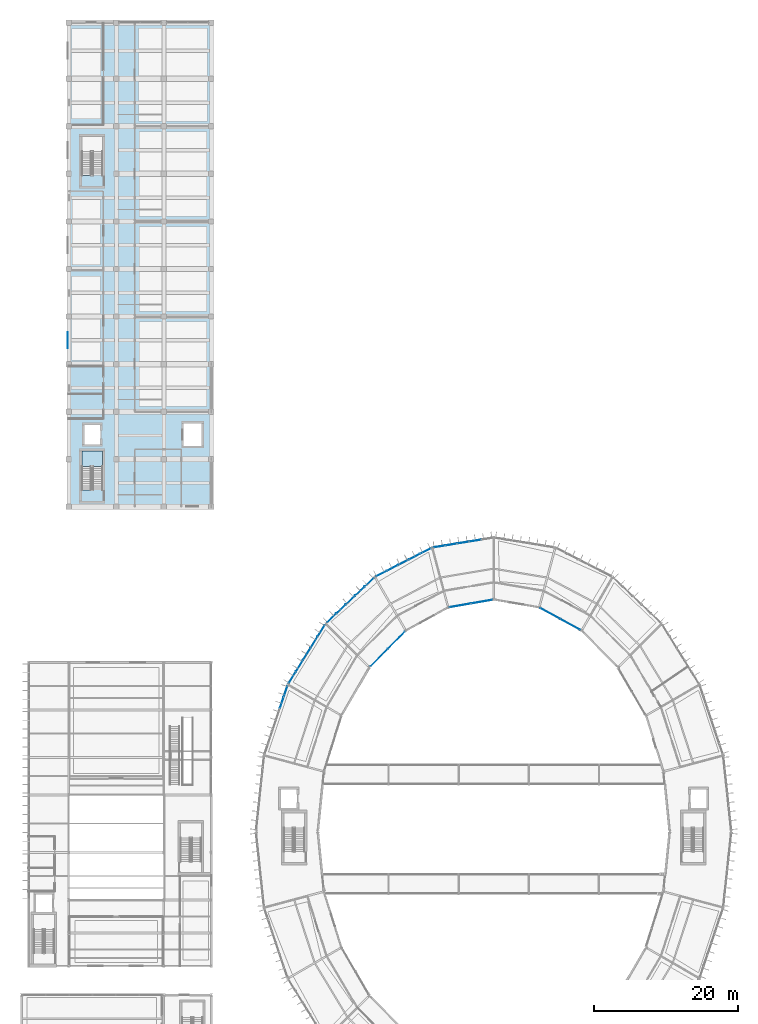
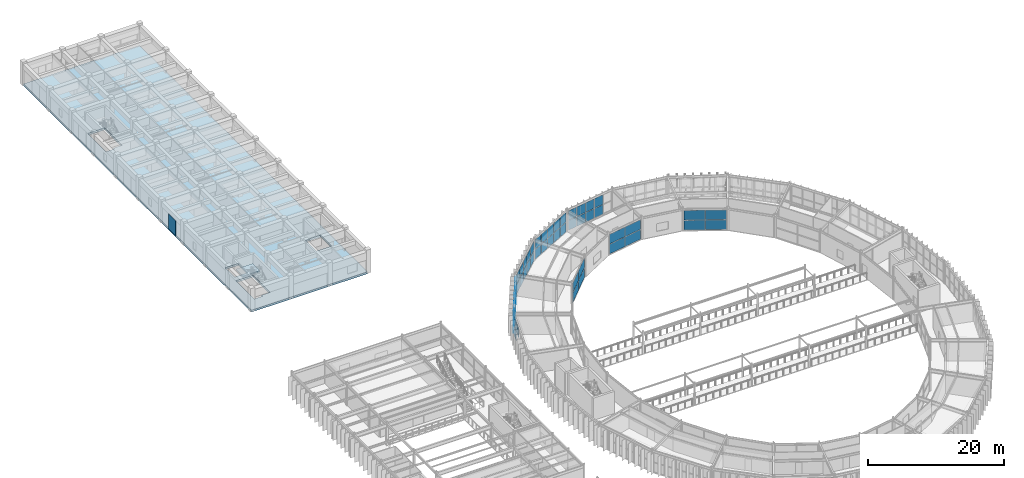
# One storey, part 104 of 148: 54 plates, 2 slabs, 9 elements without a shape of their own.
"""IFC4 building model written with IfcOpenShell, lengths in metres."""

from ifc_helpers import new_model, si_unit, direction, frame, origin, origin_2d, place, context, subcontext, project, spatial, polyline, rectangle, outline, extrude, material, layer, layer_set, type_object, element, aggregate, save


model = new_model("IFC4")

# Units and contexts
model_context = context("Model", 3, precision=1e-05, world=origin(), true_north=direction((0.0, 1.0)))
body_context = subcontext(model_context, "Body", "Model", "MODEL_VIEW")
ifc_project = project(units=[si_unit("LENGTHUNIT", "METRE"), si_unit("AREAUNIT", "SQUARE_METRE"), si_unit("VOLUMEUNIT", "CUBIC_METRE"), si_unit("PLANEANGLEUNIT", "RADIAN"), si_unit("MASSUNIT", "GRAM", prefix="KILO")], contexts=[model_context])

# Site, building, storey
site_placement = place(None, origin())
site = spatial("IfcSite", under=ifc_project, at=site_placement, CompositionType="ELEMENT")
building_placement = place(site_placement, origin())
building = spatial("IfcBuilding", under=site, at=building_placement, Name="Karori Crest Natural Sciences Institute", CompositionType="ELEMENT")
storey_placement = place(building_placement, frame((0.0, 0.0, 4.89990234375)))
storey = spatial("IfcBuildingStorey", under=building, at=storey_placement, Name="L01", CompositionType="ELEMENT", Elevation=4.89990234375)

# Curtain wall, plates
ifc_material_1 = material(Name="Anodised architectural aluminium 6063-T6", Category="aluminium")
curtain_wall_type_1 = type_object("IfcCurtainWallType", Name="CWT-15", PredefinedType="NOTDEFINED", material=ifc_material_1)
curtain_wall_1_placement = place(storey_placement, origin())
curtain_wall_1 = element("IfcCurtainWall", 1, at=curtain_wall_1_placement, inside=storey, type_object=curtain_wall_type_1, Name="Curtain wall CW-0037", PredefinedType="NOTDEFINED")
ifc_material_2 = material(Name="Double low-E laminated glass", Category="glass")
ifc_layer_1 = layer(ifc_material_2, 0.02392578125, Name="Double low-E laminated glass")
ifc_layer_set_1 = layer_set([ifc_layer_1], Name="Double low-E laminated glass")
plate_type_1 = type_object("IfcPlateType", Name="CWP-01", PredefinedType="CURTAIN_PANEL", material=ifc_layer_set_1)
plate_1_placement = place(storey_placement, frame((77.031005859375, 78.6435546875, 0.06005859375), z_axis=(0.0, 0.0, 1.0), x_axis=(-0.877463514084, 0.479643389875, 0.0)))
plate_1 = element("IfcPlate", 2, at=plate_1_placement, type_object=plate_type_1, Name="CW-0037 panel 1.1", PredefinedType="CURTAIN_PANEL", context=body_context, shape_type="SweptSolid", body=[
    extrude(rectangle(XDim=3.102783203125, YDim=0.02392578125, at=origin_2d()), origin(), (0.0, 0.0, 1.0), 1.735107421875),
])
plate_2_placement = place(storey_placement, frame((77.031005859375, 78.6435546875, 1.85498046875), z_axis=(0.0, 0.0, 1.0), x_axis=(-0.877463514084, 0.479643389875, 0.0)))
plate_2 = element("IfcPlate", 3, at=plate_2_placement, type_object=plate_type_1, Name="CW-0037 panel 1.2", PredefinedType="CURTAIN_PANEL", context=body_context, shape_type="SweptSolid", body=[
    extrude(rectangle(XDim=3.102783203125, YDim=0.02392578125, at=origin_2d()), origin(), (0.0, 0.0, 1.0), 1.735107421875),
])
plate_3_placement = place(storey_placement, frame((74.25146484375, 80.1630859375, 0.06005859375), z_axis=(0.0, 0.0, 1.0), x_axis=(-0.877463514084, 0.479643389875, 0.0)))
plate_3 = element("IfcPlate", 4, at=plate_3_placement, type_object=plate_type_1, Name="CW-0037 panel 2.1", PredefinedType="CURTAIN_PANEL", context=body_context, shape_type="SweptSolid", body=[
    extrude(rectangle(XDim=3.102783203125, YDim=0.02392578125, at=origin_2d()), origin(), (0.0, 0.0, 1.0), 1.735107421875),
])
plate_4_placement = place(storey_placement, frame((74.25146484375, 80.1630859375, 1.85498046875), z_axis=(0.0, 0.0, 1.0), x_axis=(-0.877463514084, 0.479643389875, 0.0)))
plate_4 = element("IfcPlate", 5, at=plate_4_placement, type_object=plate_type_1, Name="CW-0037 panel 2.2", PredefinedType="CURTAIN_PANEL", context=body_context, shape_type="SweptSolid", body=[
    extrude(rectangle(XDim=3.102783203125, YDim=0.02392578125, at=origin_2d()), origin(), (0.0, 0.0, 1.0), 1.735107421875),
])
aggregate(curtain_wall_1, [plate_1, plate_2, plate_3, plate_4])

curtain_wall_type_2 = type_object("IfcCurtainWallType", Name="CWT-07", PredefinedType="NOTDEFINED", material=ifc_material_1)
curtain_wall_2_placement = place(storey_placement, origin())
curtain_wall_2 = element("IfcCurtainWall", 6, at=curtain_wall_2_placement, inside=storey, type_object=curtain_wall_type_2, Name="Curtain wall CW-0039", PredefinedType="NOTDEFINED")
plate_5_placement = place(storey_placement, frame((58.872314453125, 89.474609375, 0.06494140625), z_axis=(0.0, 0.0, 1.0), x_axis=(0.987010371927, 0.1606565458, 0.0)))
plate_5 = element("IfcPlate", 7, at=plate_5_placement, type_object=plate_type_1, Name="CW-0039 panel 1.1", PredefinedType="CURTAIN_PANEL", context=body_context, shape_type="SweptSolid", body=[
    extrude(rectangle(XDim=1.552001953125, YDim=0.02392578125, at=origin_2d()), origin(), (0.0, 0.0, 1.0), 1.715087890625),
])
plate_6_placement = place(storey_placement, frame((58.872314453125, 89.474609375, 1.84521484375), z_axis=(0.0, 0.0, 1.0), x_axis=(0.987010371927, 0.1606565458, 0.0)))
plate_6 = element("IfcPlate", 8, at=plate_6_placement, type_object=plate_type_1, Name="CW-0039 panel 1.2", PredefinedType="CURTAIN_PANEL", context=body_context, shape_type="SweptSolid", body=[
    extrude(rectangle(XDim=1.552001953125, YDim=0.02392578125, at=origin_2d()), origin(), (0.0, 0.0, 1.0), 1.715087890625),
])
plate_7_placement = place(storey_placement, frame((60.49658203125, 89.739013671875, 0.06494140625), z_axis=(0.0, 0.0, 1.0), x_axis=(0.987010371927, 0.1606565458, 0.0)))
plate_7 = element("IfcPlate", 9, at=plate_7_placement, type_object=plate_type_1, Name="CW-0039 panel 2.1", PredefinedType="CURTAIN_PANEL", context=body_context, shape_type="SweptSolid", body=[
    extrude(rectangle(XDim=1.58935546875, YDim=0.02392578125, at=origin_2d()), origin(), (0.0, 0.0, 1.0), 1.715087890625),
])
plate_8_placement = place(storey_placement, frame((60.49658203125, 89.739013671875, 1.84521484375), z_axis=(0.0, 0.0, 1.0), x_axis=(0.987010371927, 0.1606565458, 0.0)))
plate_8 = element("IfcPlate", 10, at=plate_8_placement, type_object=plate_type_1, Name="CW-0039 panel 2.2", PredefinedType="CURTAIN_PANEL", context=body_context, shape_type="SweptSolid", body=[
    extrude(rectangle(XDim=1.58935546875, YDim=0.02392578125, at=origin_2d()), origin(), (0.0, 0.0, 1.0), 1.715087890625),
])
plate_9_placement = place(storey_placement, frame((62.139404296875, 90.006591796875, 0.06494140625), z_axis=(0.0, 0.0, 1.0), x_axis=(0.987010371927, 0.1606565458, 0.0)))
plate_9 = element("IfcPlate", 11, at=plate_9_placement, type_object=plate_type_1, Name="CW-0039 panel 3.1", PredefinedType="CURTAIN_PANEL", context=body_context, shape_type="SweptSolid", body=[
    extrude(rectangle(XDim=1.58935546875, YDim=0.02392578125, at=origin_2d()), origin(), (0.0, 0.0, 1.0), 1.715087890625),
])
plate_10_placement = place(storey_placement, frame((62.139404296875, 90.006591796875, 1.84521484375), z_axis=(0.0, 0.0, 1.0), x_axis=(0.987010371927, 0.1606565458, 0.0)))
plate_10 = element("IfcPlate", 12, at=plate_10_placement, type_object=plate_type_1, Name="CW-0039 panel 3.2", PredefinedType="CURTAIN_PANEL", context=body_context, shape_type="SweptSolid", body=[
    extrude(rectangle(XDim=1.58935546875, YDim=0.02392578125, at=origin_2d()), origin(), (0.0, 0.0, 1.0), 1.715087890625),
])
plate_11_placement = place(storey_placement, frame((63.7822265625, 90.27392578125, 0.06494140625), z_axis=(0.0, 0.0, 1.0), x_axis=(0.987010371927, 0.1606565458, 0.0)))
plate_11 = element("IfcPlate", 13, at=plate_11_placement, type_object=plate_type_1, Name="CW-0039 panel 4.1", PredefinedType="CURTAIN_PANEL", context=body_context, shape_type="SweptSolid", body=[
    extrude(rectangle(XDim=1.58935546875, YDim=0.02392578125, at=origin_2d()), origin(), (0.0, 0.0, 1.0), 1.715087890625),
])
plate_12_placement = place(storey_placement, frame((63.7822265625, 90.27392578125, 1.84521484375), z_axis=(0.0, 0.0, 1.0), x_axis=(0.987010371927, 0.1606565458, 0.0)))
plate_12 = element("IfcPlate", 14, at=plate_12_placement, type_object=plate_type_1, Name="CW-0039 panel 4.2", PredefinedType="CURTAIN_PANEL", context=body_context, shape_type="SweptSolid", body=[
    extrude(rectangle(XDim=1.58935546875, YDim=0.02392578125, at=origin_2d()), origin(), (0.0, 0.0, 1.0), 1.715087890625),
])
aggregate(curtain_wall_2, [plate_5, plate_6, plate_7, plate_8, plate_9, plate_10, plate_11, plate_12])

curtain_wall_type_3 = type_object("IfcCurtainWallType", Name="CWT-12", PredefinedType="NOTDEFINED", material=ifc_material_1)
curtain_wall_3_placement = place(storey_placement, origin())
curtain_wall_3 = element("IfcCurtainWall", 15, at=curtain_wall_3_placement, inside=storey, type_object=curtain_wall_type_3, Name="Curtain wall CW-0040", PredefinedType="NOTDEFINED")
plate_13_placement = place(storey_placement, frame((64.729248046875, 81.809814453125, 0.06005859375), z_axis=(0.0, 0.0, 1.0), x_axis=(-0.985241442821, -0.171170381048, 0.0)))
plate_13 = element("IfcPlate", 16, at=plate_13_placement, type_object=plate_type_1, Name="CW-0040 panel 1.1", PredefinedType="CURTAIN_PANEL", context=body_context, shape_type="SweptSolid", body=[
    extrude(rectangle(XDim=2.9541015625, YDim=0.02392578125, at=origin_2d()), origin(), (0.0, 0.0, 1.0), 1.735107421875),
])
plate_14_placement = place(storey_placement, frame((64.729248046875, 81.809814453125, 1.85498046875), z_axis=(0.0, 0.0, 1.0), x_axis=(-0.985241442821, -0.171170381048, 0.0)))
plate_14 = element("IfcPlate", 17, at=plate_14_placement, type_object=plate_type_1, Name="CW-0040 panel 1.2", PredefinedType="CURTAIN_PANEL", context=body_context, shape_type="SweptSolid", body=[
    extrude(rectangle(XDim=2.9541015625, YDim=0.02392578125, at=origin_2d()), origin(), (0.0, 0.0, 1.0), 1.735107421875),
])
plate_15_placement = place(storey_placement, frame((61.754638671875, 81.29296875, 0.06005859375), z_axis=(0.0, 0.0, 1.0), x_axis=(-0.985241442821, -0.171170381048, 0.0)))
plate_15 = element("IfcPlate", 18, at=plate_15_placement, type_object=plate_type_1, Name="CW-0040 panel 2.1", PredefinedType="CURTAIN_PANEL", context=body_context, shape_type="SweptSolid", body=[
    extrude(rectangle(XDim=2.9541015625, YDim=0.02392578125, at=origin_2d()), origin(), (0.0, 0.0, 1.0), 1.735107421875),
])
plate_16_placement = place(storey_placement, frame((61.754638671875, 81.29296875, 1.85498046875), z_axis=(0.0, 0.0, 1.0), x_axis=(-0.985241442821, -0.171170381048, 0.0)))
plate_16 = element("IfcPlate", 19, at=plate_16_placement, type_object=plate_type_1, Name="CW-0040 panel 2.2", PredefinedType="CURTAIN_PANEL", context=body_context, shape_type="SweptSolid", body=[
    extrude(rectangle(XDim=2.9541015625, YDim=0.02392578125, at=origin_2d()), origin(), (0.0, 0.0, 1.0), 1.735107421875),
])
aggregate(curtain_wall_3, [plate_13, plate_14, plate_15, plate_16])

curtain_wall_type_4 = type_object("IfcCurtainWallType", Name="CWT-14", PredefinedType="NOTDEFINED", material=ifc_material_1)
curtain_wall_4_placement = place(storey_placement, origin())
curtain_wall_4 = element("IfcCurtainWall", 20, at=curtain_wall_4_placement, inside=storey, type_object=curtain_wall_type_4, Name="Curtain wall CW-0043", PredefinedType="NOTDEFINED")
plate_17_placement = place(storey_placement, frame((52.892333984375, 76.4619140625, 0.06005859375), z_axis=(0.0, 0.0, 1.0), x_axis=(-0.70265631089, -0.71152941525, 0.0)))
plate_17 = element("IfcPlate", 21, at=plate_17_placement, type_object=plate_type_1, Name="CW-0043 panel 1.1", PredefinedType="CURTAIN_PANEL", context=body_context, shape_type="SweptSolid", body=[
    extrude(rectangle(XDim=3.322998046875, YDim=0.02392578125, at=origin_2d()), origin(), (0.0, 0.0, 1.0), 1.735107421875),
])
plate_18_placement = place(storey_placement, frame((52.892333984375, 76.4619140625, 1.85498046875), z_axis=(0.0, 0.0, 1.0), x_axis=(-0.70265631089, -0.71152941525, 0.0)))
plate_18 = element("IfcPlate", 22, at=plate_18_placement, type_object=plate_type_1, Name="CW-0043 panel 1.2", PredefinedType="CURTAIN_PANEL", context=body_context, shape_type="SweptSolid", body=[
    extrude(rectangle(XDim=3.322998046875, YDim=0.02392578125, at=origin_2d()), origin(), (0.0, 0.0, 1.0), 1.735107421875),
])
plate_19_placement = place(storey_placement, frame((50.51171875, 74.05126953125, 0.06005859375), z_axis=(0.0, 0.0, 1.0), x_axis=(-0.70265631089, -0.71152941525, 0.0)))
plate_19 = element("IfcPlate", 23, at=plate_19_placement, type_object=plate_type_1, Name="CW-0043 panel 2.1", PredefinedType="CURTAIN_PANEL", context=body_context, shape_type="SweptSolid", body=[
    extrude(rectangle(XDim=3.322998046875, YDim=0.02392578125, at=origin_2d()), origin(), (0.0, 0.0, 1.0), 1.735107421875),
])
plate_20_placement = place(storey_placement, frame((50.51171875, 74.05126953125, 1.85498046875), z_axis=(0.0, 0.0, 1.0), x_axis=(-0.70265631089, -0.71152941525, 0.0)))
plate_20 = element("IfcPlate", 24, at=plate_20_placement, type_object=plate_type_1, Name="CW-0043 panel 2.2", PredefinedType="CURTAIN_PANEL", context=body_context, shape_type="SweptSolid", body=[
    extrude(rectangle(XDim=3.322998046875, YDim=0.02392578125, at=origin_2d()), origin(), (0.0, 0.0, 1.0), 1.735107421875),
])
aggregate(curtain_wall_4, [plate_17, plate_18, plate_19, plate_20])

curtain_wall_type_5 = type_object("IfcCurtainWallType", Name="CWT-10", PredefinedType="NOTDEFINED", material=ifc_material_1)
curtain_wall_5_placement = place(storey_placement, origin())
curtain_wall_5 = element("IfcCurtainWall", 25, at=curtain_wall_5_placement, inside=storey, type_object=curtain_wall_type_5, Name="Curtain wall CW-0044", PredefinedType="NOTDEFINED")
plate_21_placement = place(storey_placement, frame((38.428955078125, 71.279296875, 0.06005859375), z_axis=(0.0, 0.0, 1.0), x_axis=(0.527327518853, 0.849662102168, 0.0)))
plate_21 = element("IfcPlate", 26, at=plate_21_placement, type_object=plate_type_1, Name="CW-0044 panel 1.1", PredefinedType="CURTAIN_PANEL", context=body_context, shape_type="SweptSolid", body=[
    extrude(rectangle(XDim=1.80322265625, YDim=0.02392578125, at=origin_2d()), origin(), (0.0, 0.0, 1.0), 1.722412109375),
])
plate_22_placement = place(storey_placement, frame((38.428955078125, 71.279296875, 1.8427734375), z_axis=(0.0, 0.0, 1.0), x_axis=(0.527327518853, 0.849662102168, 0.0)))
plate_22 = element("IfcPlate", 27, at=plate_22_placement, type_object=plate_type_1, Name="CW-0044 panel 1.2", PredefinedType="CURTAIN_PANEL", context=body_context, shape_type="SweptSolid", body=[
    extrude(rectangle(XDim=1.80322265625, YDim=0.02392578125, at=origin_2d()), origin(), (0.0, 0.0, 1.0), 1.722412109375),
])
plate_23_placement = place(storey_placement, frame((39.42919921875, 72.89111328125, 0.06005859375), z_axis=(0.0, 0.0, 1.0), x_axis=(0.527327518853, 0.849662102168, 0.0)))
plate_23 = element("IfcPlate", 28, at=plate_23_placement, type_object=plate_type_1, Name="CW-0044 panel 2.1", PredefinedType="CURTAIN_PANEL", context=body_context, shape_type="SweptSolid", body=[
    extrude(rectangle(XDim=1.8408203125, YDim=0.02392578125, at=origin_2d()), origin(), (0.0, 0.0, 1.0), 1.722412109375),
])
plate_24_placement = place(storey_placement, frame((39.42919921875, 72.89111328125, 1.8427734375), z_axis=(0.0, 0.0, 1.0), x_axis=(0.527327518853, 0.849662102168, 0.0)))
plate_24 = element("IfcPlate", 29, at=plate_24_placement, type_object=plate_type_1, Name="CW-0044 panel 2.2", PredefinedType="CURTAIN_PANEL", context=body_context, shape_type="SweptSolid", body=[
    extrude(rectangle(XDim=1.8408203125, YDim=0.02392578125, at=origin_2d()), origin(), (0.0, 0.0, 1.0), 1.722412109375),
])
plate_25_placement = place(storey_placement, frame((40.439453125, 74.518798828125, 0.06005859375), z_axis=(0.0, 0.0, 1.0), x_axis=(0.527327518853, 0.849662102168, 0.0)))
plate_25 = element("IfcPlate", 30, at=plate_25_placement, type_object=plate_type_1, Name="CW-0044 panel 3.1", PredefinedType="CURTAIN_PANEL", context=body_context, shape_type="SweptSolid", body=[
    extrude(rectangle(XDim=1.8408203125, YDim=0.02392578125, at=origin_2d()), origin(), (0.0, 0.0, 1.0), 1.722412109375),
])
plate_26_placement = place(storey_placement, frame((40.439453125, 74.518798828125, 1.8427734375), z_axis=(0.0, 0.0, 1.0), x_axis=(0.527327518853, 0.849662102168, 0.0)))
plate_26 = element("IfcPlate", 31, at=plate_26_placement, type_object=plate_type_1, Name="CW-0044 panel 3.2", PredefinedType="CURTAIN_PANEL", context=body_context, shape_type="SweptSolid", body=[
    extrude(rectangle(XDim=1.8408203125, YDim=0.02392578125, at=origin_2d()), origin(), (0.0, 0.0, 1.0), 1.722412109375),
])
plate_27_placement = place(storey_placement, frame((41.44970703125, 76.146484375, 0.06005859375), z_axis=(0.0, 0.0, 1.0), x_axis=(0.527327518853, 0.849662102168, 0.0)))
plate_27 = element("IfcPlate", 32, at=plate_27_placement, type_object=plate_type_1, Name="CW-0044 panel 4.1", PredefinedType="CURTAIN_PANEL", context=body_context, shape_type="SweptSolid", body=[
    extrude(rectangle(XDim=1.8408203125, YDim=0.02392578125, at=origin_2d()), origin(), (0.0, 0.0, 1.0), 1.722412109375),
])
plate_28_placement = place(storey_placement, frame((41.44970703125, 76.146484375, 1.8427734375), z_axis=(0.0, 0.0, 1.0), x_axis=(0.527327518853, 0.849662102168, 0.0)))
plate_28 = element("IfcPlate", 33, at=plate_28_placement, type_object=plate_type_1, Name="CW-0044 panel 4.2", PredefinedType="CURTAIN_PANEL", context=body_context, shape_type="SweptSolid", body=[
    extrude(rectangle(XDim=1.8408203125, YDim=0.02392578125, at=origin_2d()), origin(), (0.0, 0.0, 1.0), 1.722412109375),
])
plate_29_placement = place(storey_placement, frame((42.4501953125, 77.75830078125, 0.06005859375), z_axis=(0.0, 0.0, 1.0), x_axis=(0.527327518853, 0.849662102168, 0.0)))
plate_29 = element("IfcPlate", 34, at=plate_29_placement, type_object=plate_type_1, Name="CW-0044 panel 5.1", PredefinedType="CURTAIN_PANEL", context=body_context, shape_type="SweptSolid", body=[
    extrude(rectangle(XDim=1.80322265625, YDim=0.02392578125, at=origin_2d()), origin(), (0.0, 0.0, 1.0), 1.722412109375),
])
plate_30_placement = place(storey_placement, frame((42.4501953125, 77.75830078125, 1.8427734375), z_axis=(0.0, 0.0, 1.0), x_axis=(0.527327518853, 0.849662102168, 0.0)))
plate_30 = element("IfcPlate", 35, at=plate_30_placement, type_object=plate_type_1, Name="CW-0044 panel 5.2", PredefinedType="CURTAIN_PANEL", context=body_context, shape_type="SweptSolid", body=[
    extrude(rectangle(XDim=1.80322265625, YDim=0.02392578125, at=origin_2d()), origin(), (0.0, 0.0, 1.0), 1.722412109375),
])
aggregate(curtain_wall_5, [plate_21, plate_22, plate_23, plate_24, plate_25, plate_26, plate_27, plate_28, plate_29, plate_30])

curtain_wall_type_6 = type_object("IfcCurtainWallType", Name="CWT-08", PredefinedType="NOTDEFINED", material=ifc_material_1)
curtain_wall_6_placement = place(storey_placement, origin())
curtain_wall_6 = element("IfcCurtainWall", 36, at=curtain_wall_6_placement, inside=storey, type_object=curtain_wall_type_6, Name="Curtain wall CW-0041", PredefinedType="NOTDEFINED")
ifc_layer_2 = layer(ifc_material_2, 0.033935546875, Name="Double low-E laminated glass")
ifc_layer_set_2 = layer_set([ifc_layer_2], Name="Double low-E laminated glass")
plate_type_2 = type_object("IfcPlateType", Name="CWP-02", PredefinedType="CURTAIN_PANEL", material=ifc_layer_set_2)
plate_31_placement = place(storey_placement, frame((50.8251953125, 85.70751953125, 0.06005859375), z_axis=(0.0, 0.0, 1.0), x_axis=(0.890065326982, 0.455832988828, 0.0)))
plate_31 = element("IfcPlate", 37, at=plate_31_placement, type_object=plate_type_2, Name="CW-0041 panel 1.1", PredefinedType="CURTAIN_PANEL", context=body_context, shape_type="SweptSolid", body=[
    extrude(rectangle(XDim=1.608642578125, YDim=0.033935546875, at=origin_2d()), origin(), (0.0, 0.0, 1.0), 1.722412109375),
])
plate_32_placement = place(storey_placement, frame((50.8251953125, 85.70751953125, 1.8427734375), z_axis=(0.0, 0.0, 1.0), x_axis=(0.890065326982, 0.455832988828, 0.0)))
plate_32 = element("IfcPlate", 38, at=plate_32_placement, type_object=plate_type_2, Name="CW-0041 panel 1.2", PredefinedType="CURTAIN_PANEL", context=body_context, shape_type="SweptSolid", body=[
    extrude(rectangle(XDim=1.608642578125, YDim=0.033935546875, at=origin_2d()), origin(), (0.0, 0.0, 1.0), 1.722412109375),
])
plate_33_placement = place(storey_placement, frame((52.34033203125, 86.483642578125, 0.06005859375), z_axis=(0.0, 0.0, 1.0), x_axis=(0.890065326982, 0.455832988828, 0.0)))
plate_33 = element("IfcPlate", 39, at=plate_33_placement, type_object=plate_type_2, Name="CW-0041 panel 2.1", PredefinedType="CURTAIN_PANEL", context=body_context, shape_type="SweptSolid", body=[
    extrude(rectangle(XDim=1.646240234375, YDim=0.033935546875, at=origin_2d()), origin(), (0.0, 0.0, 1.0), 1.722412109375),
])
plate_34_placement = place(storey_placement, frame((52.34033203125, 86.483642578125, 1.8427734375), z_axis=(0.0, 0.0, 1.0), x_axis=(0.890065326982, 0.455832988828, 0.0)))
plate_34 = element("IfcPlate", 40, at=plate_34_placement, type_object=plate_type_2, Name="CW-0041 panel 2.2", PredefinedType="CURTAIN_PANEL", context=body_context, shape_type="SweptSolid", body=[
    extrude(rectangle(XDim=1.646240234375, YDim=0.033935546875, at=origin_2d()), origin(), (0.0, 0.0, 1.0), 1.722412109375),
])
plate_35_placement = place(storey_placement, frame((53.87255859375, 87.268310546875, 0.06005859375), z_axis=(0.0, 0.0, 1.0), x_axis=(0.890065326982, 0.455832988828, 0.0)))
plate_35 = element("IfcPlate", 41, at=plate_35_placement, type_object=plate_type_2, Name="CW-0041 panel 3.1", PredefinedType="CURTAIN_PANEL", context=body_context, shape_type="SweptSolid", body=[
    extrude(rectangle(XDim=1.646240234375, YDim=0.033935546875, at=origin_2d()), origin(), (0.0, 0.0, 1.0), 1.722412109375),
])
plate_36_placement = place(storey_placement, frame((53.87255859375, 87.268310546875, 1.8427734375), z_axis=(0.0, 0.0, 1.0), x_axis=(0.890065326982, 0.455832988828, 0.0)))
plate_36 = element("IfcPlate", 42, at=plate_36_placement, type_object=plate_type_2, Name="CW-0041 panel 3.2", PredefinedType="CURTAIN_PANEL", context=body_context, shape_type="SweptSolid", body=[
    extrude(rectangle(XDim=1.646240234375, YDim=0.033935546875, at=origin_2d()), origin(), (0.0, 0.0, 1.0), 1.722412109375),
])
plate_37_placement = place(storey_placement, frame((55.404541015625, 88.052734375, 0.06005859375), z_axis=(0.0, 0.0, 1.0), x_axis=(0.890065326982, 0.455832988828, 0.0)))
plate_37 = element("IfcPlate", 43, at=plate_37_placement, type_object=plate_type_2, Name="CW-0041 panel 4.1", PredefinedType="CURTAIN_PANEL", context=body_context, shape_type="SweptSolid", body=[
    extrude(rectangle(XDim=1.646240234375, YDim=0.033935546875, at=origin_2d()), origin(), (0.0, 0.0, 1.0), 1.722412109375),
])
plate_38_placement = place(storey_placement, frame((55.404541015625, 88.052734375, 1.8427734375), z_axis=(0.0, 0.0, 1.0), x_axis=(0.890065326982, 0.455832988828, 0.0)))
plate_38 = element("IfcPlate", 44, at=plate_38_placement, type_object=plate_type_2, Name="CW-0041 panel 4.2", PredefinedType="CURTAIN_PANEL", context=body_context, shape_type="SweptSolid", body=[
    extrude(rectangle(XDim=1.646240234375, YDim=0.033935546875, at=origin_2d()), origin(), (0.0, 0.0, 1.0), 1.722412109375),
])
plate_39_placement = place(storey_placement, frame((56.919921875, 88.828857421875, 0.06005859375), z_axis=(0.0, 0.0, 1.0), x_axis=(0.890065326982, 0.455832988828, 0.0)))
plate_39 = element("IfcPlate", 45, at=plate_39_placement, type_object=plate_type_2, Name="CW-0041 panel 5.1", PredefinedType="CURTAIN_PANEL", context=body_context, shape_type="SweptSolid", body=[
    extrude(rectangle(XDim=1.608642578125, YDim=0.033935546875, at=origin_2d()), origin(), (0.0, 0.0, 1.0), 1.722412109375),
])
plate_40_placement = place(storey_placement, frame((56.919921875, 88.828857421875, 1.8427734375), z_axis=(0.0, 0.0, 1.0), x_axis=(0.890065326982, 0.455832988828, 0.0)))
plate_40 = element("IfcPlate", 46, at=plate_40_placement, type_object=plate_type_2, Name="CW-0041 panel 5.2", PredefinedType="CURTAIN_PANEL", context=body_context, shape_type="SweptSolid", body=[
    extrude(rectangle(XDim=1.608642578125, YDim=0.033935546875, at=origin_2d()), origin(), (0.0, 0.0, 1.0), 1.722412109375),
])
aggregate(curtain_wall_6, [plate_31, plate_32, plate_33, plate_34, plate_35, plate_36, plate_37, plate_38, plate_39, plate_40])

curtain_wall_type_7 = type_object("IfcCurtainWallType", Name="CWT-01", PredefinedType="NOTDEFINED", material=ifc_material_1)
curtain_wall_7_placement = place(storey_placement, origin())
curtain_wall_7 = element("IfcCurtainWall", 47, at=curtain_wall_7_placement, inside=storey, type_object=curtain_wall_type_7, Name="Curtain wall CW-0045", PredefinedType="NOTDEFINED")
plate_41_placement = place(storey_placement, frame((36.9677734375, 67.7529296875, 1.84521484375), z_axis=(0.0, 0.0, 1.0), x_axis=(0.317685267462, 0.948196219586, 0.0)))
plate_41 = element("IfcPlate", 48, at=plate_41_placement, type_object=plate_type_2, Name="CW-0045 panel 5.2", PredefinedType="CURTAIN_PANEL", context=body_context, shape_type="SweptSolid", body=[
    extrude(rectangle(XDim=1.5986328125, YDim=0.033935546875, at=origin_2d()), origin(), (0.0, 0.0, 1.0), 1.715087890625),
])
plate_42_placement = place(storey_placement, frame((37.49365234375, 69.322021484375, 0.06494140625), z_axis=(0.0, 0.0, 1.0), x_axis=(0.317685267462, 0.948196219586, 0.0)))
plate_42 = element("IfcPlate", 49, at=plate_42_placement, type_object=plate_type_2, Name="CW-0045 panel 6.1", PredefinedType="CURTAIN_PANEL", context=body_context, shape_type="SweptSolid", body=[
    extrude(rectangle(XDim=1.561279296875, YDim=0.033935546875, at=origin_2d()), origin(), (0.0, 0.0, 1.0), 1.715087890625),
])
plate_43_placement = place(storey_placement, frame((37.49365234375, 69.322021484375, 1.84521484375), z_axis=(0.0, 0.0, 1.0), x_axis=(0.317685267462, 0.948196219586, 0.0)))
plate_43 = element("IfcPlate", 50, at=plate_43_placement, type_object=plate_type_2, Name="CW-0045 panel 6.2", PredefinedType="CURTAIN_PANEL", context=body_context, shape_type="SweptSolid", body=[
    extrude(rectangle(XDim=1.561279296875, YDim=0.033935546875, at=origin_2d()), origin(), (0.0, 0.0, 1.0), 1.715087890625),
])
aggregate(curtain_wall_7, [plate_41, plate_42, plate_43])

curtain_wall_type_8 = type_object("IfcCurtainWallType", Name="CWT-09", PredefinedType="NOTDEFINED", material=ifc_material_1)
curtain_wall_8_placement = place(storey_placement, origin())
curtain_wall_8 = element("IfcCurtainWall", 51, at=curtain_wall_8_placement, inside=storey, type_object=curtain_wall_type_8, Name="Curtain wall CW-0042", PredefinedType="NOTDEFINED")
ifc_layer_3 = layer(ifc_material_2, 0.0439453125, Name="Double low-E laminated glass")
ifc_layer_set_3 = layer_set([ifc_layer_3], Name="Double low-E laminated glass")
plate_type_3 = type_object("IfcPlateType", Name="CWP-03", PredefinedType="CURTAIN_PANEL", material=ifc_layer_set_3)
plate_44_placement = place(storey_placement, frame((43.8896484375, 79.53173828125, 0.06494140625), z_axis=(0.0, 0.0, 1.0), x_axis=(0.725472753897, 0.688250886925, 0.0)))
plate_44 = element("IfcPlate", 52, at=plate_44_placement, type_object=plate_type_3, Name="CW-0042 panel 1.1", PredefinedType="CURTAIN_PANEL", context=body_context, shape_type="SweptSolid", body=[
    extrude(rectangle(XDim=1.697265625, YDim=0.0439453125, at=origin_2d()), origin(), (0.0, 0.0, 1.0), 1.715087890625),
])
plate_45_placement = place(storey_placement, frame((43.8896484375, 79.53173828125, 1.84521484375), z_axis=(0.0, 0.0, 1.0), x_axis=(0.725472753897, 0.688250886925, 0.0)))
plate_45 = element("IfcPlate", 53, at=plate_45_placement, type_object=plate_type_3, Name="CW-0042 panel 1.2", PredefinedType="CURTAIN_PANEL", context=body_context, shape_type="SweptSolid", body=[
    extrude(rectangle(XDim=1.697265625, YDim=0.0439453125, at=origin_2d()), origin(), (0.0, 0.0, 1.0), 1.715087890625),
])
plate_46_placement = place(storey_placement, frame((45.188720703125, 80.764404296875, 0.06494140625), z_axis=(0.0, 0.0, 1.0), x_axis=(0.725472753897, 0.688250886925, 0.0)))
plate_46 = element("IfcPlate", 54, at=plate_46_placement, type_object=plate_type_3, Name="CW-0042 panel 2.1", PredefinedType="CURTAIN_PANEL", context=body_context, shape_type="SweptSolid", body=[
    extrude(rectangle(XDim=1.734619140625, YDim=0.0439453125, at=origin_2d()), origin(), (0.0, 0.0, 1.0), 1.715087890625),
])
plate_47_placement = place(storey_placement, frame((45.188720703125, 80.764404296875, 1.84521484375), z_axis=(0.0, 0.0, 1.0), x_axis=(0.725472753897, 0.688250886925, 0.0)))
plate_47 = element("IfcPlate", 55, at=plate_47_placement, type_object=plate_type_3, Name="CW-0042 panel 2.2", PredefinedType="CURTAIN_PANEL", context=body_context, shape_type="SweptSolid", body=[
    extrude(rectangle(XDim=1.734619140625, YDim=0.0439453125, at=origin_2d()), origin(), (0.0, 0.0, 1.0), 1.715087890625),
])
plate_48_placement = place(storey_placement, frame((46.501708984375, 82.010009765625, 0.06494140625), z_axis=(0.0, 0.0, 1.0), x_axis=(0.725472753897, 0.688250886925, 0.0)))
plate_48 = element("IfcPlate", 56, at=plate_48_placement, type_object=plate_type_3, Name="CW-0042 panel 3.1", PredefinedType="CURTAIN_PANEL", context=body_context, shape_type="SweptSolid", body=[
    extrude(rectangle(XDim=1.734619140625, YDim=0.0439453125, at=origin_2d()), origin(), (0.0, 0.0, 1.0), 1.715087890625),
])
plate_49_placement = place(storey_placement, frame((46.501708984375, 82.010009765625, 1.84521484375), z_axis=(0.0, 0.0, 1.0), x_axis=(0.725472753897, 0.688250886925, 0.0)))
plate_49 = element("IfcPlate", 57, at=plate_49_placement, type_object=plate_type_3, Name="CW-0042 panel 3.2", PredefinedType="CURTAIN_PANEL", context=body_context, shape_type="SweptSolid", body=[
    extrude(rectangle(XDim=1.734619140625, YDim=0.0439453125, at=origin_2d()), origin(), (0.0, 0.0, 1.0), 1.715087890625),
])
plate_50_placement = place(storey_placement, frame((47.814697265625, 83.25537109375, 0.06494140625), z_axis=(0.0, 0.0, 1.0), x_axis=(0.725472753897, 0.688250886925, 0.0)))
plate_50 = element("IfcPlate", 58, at=plate_50_placement, type_object=plate_type_3, Name="CW-0042 panel 4.1", PredefinedType="CURTAIN_PANEL", context=body_context, shape_type="SweptSolid", body=[
    extrude(rectangle(XDim=1.734619140625, YDim=0.0439453125, at=origin_2d()), origin(), (0.0, 0.0, 1.0), 1.715087890625),
])
plate_51_placement = place(storey_placement, frame((47.814697265625, 83.25537109375, 1.84521484375), z_axis=(0.0, 0.0, 1.0), x_axis=(0.725472753897, 0.688250886925, 0.0)))
plate_51 = element("IfcPlate", 59, at=plate_51_placement, type_object=plate_type_3, Name="CW-0042 panel 4.2", PredefinedType="CURTAIN_PANEL", context=body_context, shape_type="SweptSolid", body=[
    extrude(rectangle(XDim=1.734619140625, YDim=0.0439453125, at=origin_2d()), origin(), (0.0, 0.0, 1.0), 1.715087890625),
])
plate_52_placement = place(storey_placement, frame((49.11376953125, 84.488037109375, 0.06494140625), z_axis=(0.0, 0.0, 1.0), x_axis=(0.725472753897, 0.688250886925, 0.0)))
plate_52 = element("IfcPlate", 60, at=plate_52_placement, type_object=plate_type_3, Name="CW-0042 panel 5.1", PredefinedType="CURTAIN_PANEL", context=body_context, shape_type="SweptSolid", body=[
    extrude(rectangle(XDim=1.697265625, YDim=0.0439453125, at=origin_2d()), origin(), (0.0, 0.0, 1.0), 1.715087890625),
])
plate_53_placement = place(storey_placement, frame((49.11376953125, 84.488037109375, 1.84521484375), z_axis=(0.0, 0.0, 1.0), x_axis=(0.725472753897, 0.688250886925, 0.0)))
plate_53 = element("IfcPlate", 61, at=plate_53_placement, type_object=plate_type_3, Name="CW-0042 panel 5.2", PredefinedType="CURTAIN_PANEL", context=body_context, shape_type="SweptSolid", body=[
    extrude(rectangle(XDim=1.697265625, YDim=0.0439453125, at=origin_2d()), origin(), (0.0, 0.0, 1.0), 1.715087890625),
])
aggregate(curtain_wall_8, [plate_44, plate_45, plate_46, plate_47, plate_48, plate_49, plate_50, plate_51, plate_52, plate_53])

# Plate
ifc_layer_4 = layer(ifc_material_1, 0.06396484375, Name="Anodised architectural aluminium 6063-T6")
ifc_layer_set_4 = layer_set([ifc_layer_4], Name="Anodised architectural aluminium 6063-T6")
plate_type_4 = type_object("IfcPlateType", Name="PLT-03", PredefinedType="SHEET", material=ifc_layer_set_4)
plate_54_placement = place(storey_placement, frame((7.25, 118.10009765625, 0.0751953125), z_axis=(0.0, 0.0, 1.0), x_axis=(1.0, 0.0, 0.0)))
element("IfcPlate", 62, at=plate_54_placement, inside=storey, type_object=plate_type_4, Name="Metabolist service chase cladding PL-0001", PredefinedType="SHEET", context=body_context, shape_type="SweptSolid", body=[
    extrude(rectangle(XDim=0.052001953125, YDim=2.199951171875, at=origin_2d()), origin(), (0.0, 0.0, 1.0), 2.735107421875),
])

# Slab
ifc_material_3 = material(Name="Concrete 50 MPa", Category="concrete")
ifc_layer_5 = layer(ifc_material_3, 0.35009765625, Name="Concrete 50 MPa")
ifc_layer_set_5 = layer_set([ifc_layer_5], Name="Concrete 50 MPa")
slab_type_1 = type_object("IfcSlabType", Name="SLT-03", PredefinedType="FLOOR", material=ifc_layer_set_5)
slab_1_placement = place(storey_placement, frame((0.0, 0.0, -0.349853515625)))
element("IfcSlab", 63, at=slab_1_placement, inside=storey, type_object=slab_type_1, Name="V4 Slab SL-0153", PredefinedType="FLOOR", context=body_context, shape_type="SweptSolid", body=[
    extrude(outline(polyline([(7.39990234375, 95.0), (27.199951171875, 95.0), (27.199951171875, 162.199951171875), (7.39990234375, 162.199951171875), (7.39990234375, 95.0)]), holes=[polyline([(12.10009765625, 97.580078125), (10.64990234375, 97.580078125), (10.64990234375, 97.300537109375), (9.199951171875, 97.300537109375), (9.199951171875, 102.699951171875), (12.10009765625, 102.699951171875), (12.10009765625, 97.580078125)]), polyline([(12.10009765625, 141.280029296875), (10.64990234375, 141.280029296875), (10.64990234375, 141.00048828125), (9.199951171875, 141.00048828125), (9.199951171875, 146.39990234375), (12.10009765625, 146.39990234375), (12.10009765625, 141.280029296875)]), polyline([(9.52490234375, 106.375), (11.77490234375, 106.375), (11.77490234375, 103.625), (9.52490234375, 103.625), (9.52490234375, 106.375)]), polyline([(23.300048828125, 106.60009765625), (25.89990234375, 106.60009765625), (25.89990234375, 103.39990234375), (23.300048828125, 103.39990234375), (23.300048828125, 106.60009765625)])]), origin(), (0.0, 0.0, 1.0), 0.349853515625),
])

# Stair, slab
ifc_material_4 = material(Name="Concrete 40 MPa", Category="concrete")
stair_type = type_object("IfcStairType", Name="STT-01", PredefinedType="HALF_TURN_STAIR", material=ifc_material_4)
stair_placement = place(storey_placement, origin())
stair = element("IfcStair", 64, at=stair_placement, inside=storey, type_object=stair_type, Name="Protected stair ST-05-L01", PredefinedType="HALF_TURN_STAIR")
ifc_layer_6 = layer(ifc_material_4, 0.2099609375, Name="Concrete 40 MPa")
ifc_layer_set_6 = layer_set([ifc_layer_6], Name="Concrete 40 MPa")
slab_type_2 = type_object("IfcSlabType", Name="SLT-11", PredefinedType="LANDING", material=ifc_layer_set_6)
slab_2_placement = place(storey_placement, frame((0.0, 0.0, 1.89013671875)))
slab_2 = element("IfcSlab", 65, at=slab_2_placement, type_object=slab_type_2, Name="ST-05-L01 landing 1", PredefinedType="LANDING", context=body_context, shape_type="SweptSolid", body=[
    extrude(outline(polyline([(12.10009765625, 100.60009765625), (12.10009765625, 102.699951171875), (9.199951171875, 102.699951171875), (9.199951171875, 100.60009765625), (12.10009765625, 100.60009765625)])), origin(), (0.0, 0.0, 1.0), 0.2099609375),
])
aggregate(stair, [slab_2])

save(model, "model.ifc")
